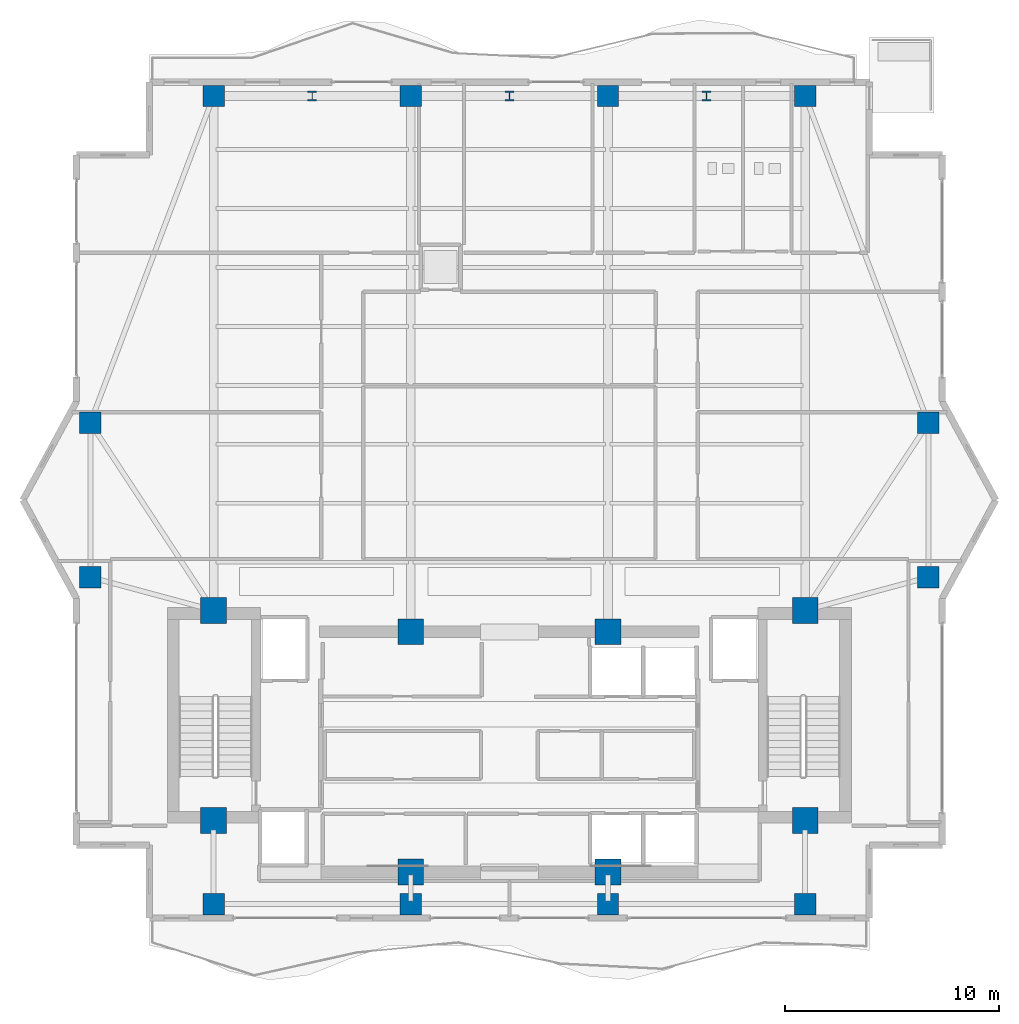
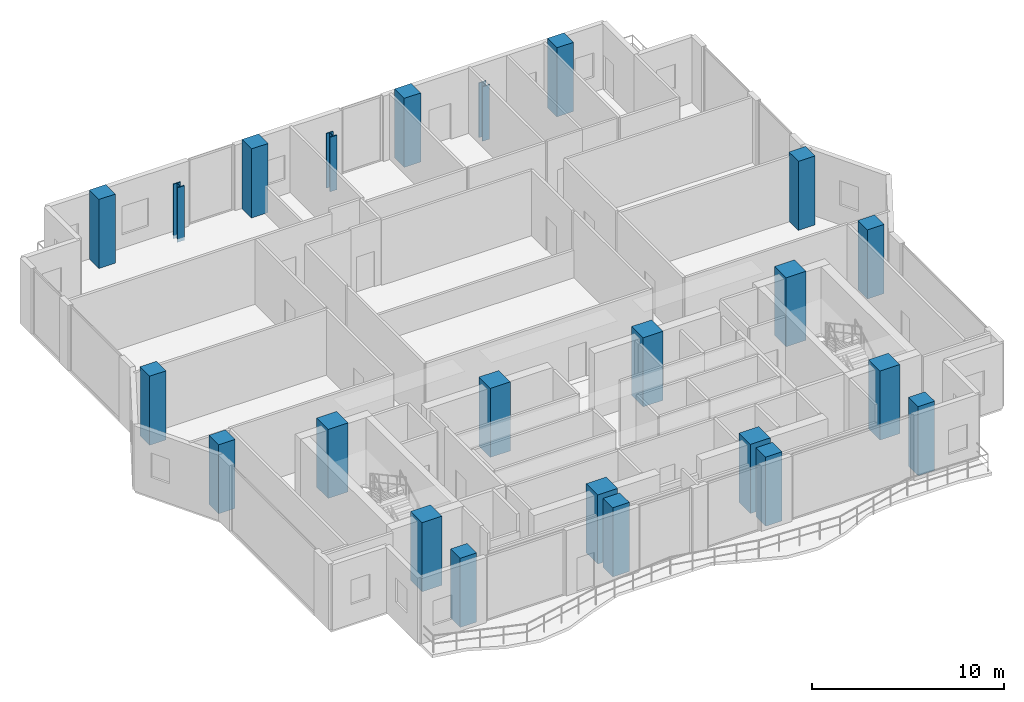
# One storey, part 1 of 24: 23 columns.
"""IFC4 building model written with IfcOpenShell, lengths in metres."""

from ifc_helpers import new_model, si_unit, direction, frame, origin, origin_2d, place, context, subcontext, project, spatial, rectangle, i_section, extrude, material, material_profile, profile_set, type_object, element, save


model = new_model("IFC4")

# Units and contexts
model_context = context("Model", 3, precision=1e-05, world=origin(), true_north=direction((0.0, 1.0)))
body_context = subcontext(model_context, "Body", "Model", "MODEL_VIEW")
ifc_project = project(units=[si_unit("LENGTHUNIT", "METRE"), si_unit("AREAUNIT", "SQUARE_METRE"), si_unit("VOLUMEUNIT", "CUBIC_METRE"), si_unit("PLANEANGLEUNIT", "RADIAN"), si_unit("MASSUNIT", "GRAM", prefix="KILO")], contexts=[model_context])

# Site, building, storey
site_placement = place(None, origin())
site = spatial("IfcSite", under=ifc_project, at=site_placement, CompositionType="ELEMENT")
building_placement = place(site_placement, origin())
building = spatial("IfcBuilding", under=site, at=building_placement, Name="Zuhayl Quay Hotel", CompositionType="ELEMENT")
storey_placement = place(building_placement, frame((0.0, 0.0, 292.85009765625)))
storey = spatial("IfcBuildingStorey", under=building, at=storey_placement, Name="L74", CompositionType="ELEMENT", Elevation=292.85009765625)

# Columns
ifc_material_1 = material(Name="Concrete C60/75", Category="concrete")
ifc_material_profile_1 = material_profile(ifc_material_1, rectangle(XDim=1.199951171875, YDim=1.199951171875, at=origin_2d()), Name="RC1200X1200")
ifc_profile_set_1 = profile_set([ifc_material_profile_1], Name="Concrete C60/75")
column_type_1 = type_object("IfcColumnType", Name="CL_CC2_1200", PredefinedType="COLUMN", material=ifc_profile_set_1)
for number, where, z_axis, x_axis, name in (
    (1, (-13.800048828125, 14.35009765625, 0.0), (0.0, 0.0, 1.0), (1.0, 0.0, 0.0), "L74 Core Column CC_NW"),
    (2, (-4.60009765625, 13.35009765625, 0.0), (0.0, 0.0, 1.0), (1.0, 0.0, 0.0), "L74 Core Column CC_CNW"),
    (3, (4.60009765625, 13.35009765625, 0.0), (0.0, 0.0, 1.0), (1.0, 0.0, 0.0), "L74 Core Column CC_CNE"),
    (4, (13.800048828125, 14.35009765625, 0.0), (0.0, 0.0, 1.0), (1.0, 0.0, 0.0), "L74 Core Column CC_NE"),
    (5, (-13.800048828125, 4.550048828125, 0.0), (0.0, 0.0, 1.0), (1.0, 0.0, 0.0), "L74 Core Column CC_SW"),
    (6, (-4.60009765625, 2.14990234375, 0.0), (0.0, 0.0, 1.0), (1.0, 0.0, 0.0), "L74 Core Column CC_CSW"),
    (7, (4.60009765625, 2.14990234375, 0.0), (0.0, 0.0, 1.0), (1.0, 0.0, 0.0), "L74 Core Column CC_CSE"),
    (8, (13.800048828125, 4.550048828125, 0.0), (0.0, 0.0, 1.0), (1.0, 0.0, 0.0), "L74 Core Column CC_SE"),
):
    element("IfcColumn", number, at=place(storey_placement, frame(where, z_axis=z_axis, x_axis=x_axis)), inside=storey, type_object=column_type_1, Name=name, PredefinedType="COLUMN", context=body_context, shape_type="SweptSolid", body=[
        extrude(rectangle(XDim=1.199951171875, YDim=1.199951171875, at=origin_2d()), origin(), (0.0, 0.0, 1.0), 4.39990234375),
    ])
ifc_material_profile_2 = material_profile(ifc_material_1, rectangle(XDim=1.0, YDim=1.0, at=origin_2d()), Name="RC1000X1000")
ifc_profile_set_2 = profile_set([ifc_material_profile_2], Name="Concrete C60/75")
column_type_2 = type_object("IfcColumnType", Name="CL_MC4_1000", PredefinedType="COLUMN", material=ifc_profile_set_2)
for number, where, z_axis, x_axis, name in (
    (9, (-13.800048828125, 0.64990234375, 0.0), (0.0, 0.0, 1.0), (1.0, 0.0, 0.0), "L74 Mega-Column MC_S1"),
    (10, (-4.60009765625, 0.64990234375, 0.0), (0.0, 0.0, 1.0), (1.0, 0.0, 0.0), "L74 Mega-Column MC_S2"),
    (11, (4.60009765625, 0.64990234375, 0.0), (0.0, 0.0, 1.0), (1.0, 0.0, 0.0), "L74 Mega-Column MC_S3"),
    (12, (13.800048828125, 0.64990234375, 0.0), (0.0, 0.0, 1.0), (1.0, 0.0, 0.0), "L74 Mega-Column MC_S4"),
    (13, (-13.800048828125, 38.35009765625, 0.0), (0.0, 0.0, 1.0), (1.0, 0.0, 0.0), "L74 Mega-Column MC_N1"),
    (14, (-4.60009765625, 38.35009765625, 0.0), (0.0, 0.0, 1.0), (1.0, 0.0, 0.0), "L74 Mega-Column MC_N2"),
    (15, (4.60009765625, 38.35009765625, 0.0), (0.0, 0.0, 1.0), (1.0, 0.0, 0.0), "L74 Mega-Column MC_N3"),
    (16, (13.800048828125, 38.35009765625, 0.0), (0.0, 0.0, 1.0), (1.0, 0.0, 0.0), "L74 Mega-Column MC_N4"),
    (17, (-19.550048828125, 15.89990234375, 0.0), (0.0, 0.0, 1.0), (1.0, 0.0, 0.0), "L74 Mega-Column MC_W1"),
    (18, (-19.550048828125, 23.10009765625, 0.0), (0.0, 0.0, 1.0), (1.0, 0.0, 0.0), "L74 Mega-Column MC_W2"),
    (19, (19.550048828125, 15.89990234375, 0.0), (0.0, 0.0, 1.0), (1.0, 0.0, 0.0), "L74 Mega-Column MC_E1"),
    (20, (19.550048828125, 23.10009765625, 0.0), (0.0, 0.0, 1.0), (1.0, 0.0, 0.0), "L74 Mega-Column MC_E2"),
):
    element("IfcColumn", number, at=place(storey_placement, frame(where, z_axis=z_axis, x_axis=x_axis)), inside=storey, type_object=column_type_2, Name=name, PredefinedType="COLUMN", context=body_context, shape_type="SweptSolid", body=[
        extrude(rectangle(XDim=1.0, YDim=1.0, at=origin_2d()), origin(), (0.0, 0.0, 1.0), 4.39990234375),
    ])
ifc_material_2 = material(Name="Steel ASTM A913 Grade 65", Category="steel")
ifc_material_profile_3 = material_profile(ifc_material_2, i_section(OverallWidth=0.416015625, OverallDepth=0.445068359375, WebThickness=0.0390625, FlangeThickness=0.062744140625, at=origin_2d()), Name="W14X342")
ifc_profile_set_3 = profile_set([ifc_material_profile_3], Name="Steel ASTM A913 Grade 65")
column_type_3 = type_object("IfcColumnType", Name="CL_PIL_W14_342", PredefinedType="PILASTER", material=ifc_profile_set_3)
for number, where, z_axis, x_axis, name in (
    (21, (-9.199951171875, 38.35009765625, -0.22021484375), (0.0, 0.0, 1.0), (1.0, 0.0, 0.0), "L74 Sky-Lobby Facade Pilaster PL1-1"),
    (22, (0.0, 38.35009765625, -0.22021484375), (0.0, 0.0, 1.0), (1.0, 0.0, 0.0), "L74 Sky-Lobby Facade Pilaster PL1-2"),
    (23, (9.199951171875, 38.35009765625, -0.22021484375), (0.0, 0.0, 1.0), (1.0, 0.0, 0.0), "L74 Sky-Lobby Facade Pilaster PL1-3"),
):
    element("IfcColumn", number, at=place(storey_placement, frame(where, z_axis=z_axis, x_axis=x_axis)), inside=storey, type_object=column_type_3, Name=name, PredefinedType="PILASTER", context=body_context, shape_type="SweptSolid", body=[
        extrude(i_section(OverallWidth=0.416015625, OverallDepth=0.445068359375, WebThickness=0.0390625, FlangeThickness=0.062744140625, at=origin_2d()), origin(), (0.0, 0.0, 1.0), 3.480224609375),
    ])

save(model, "model.ifc")
